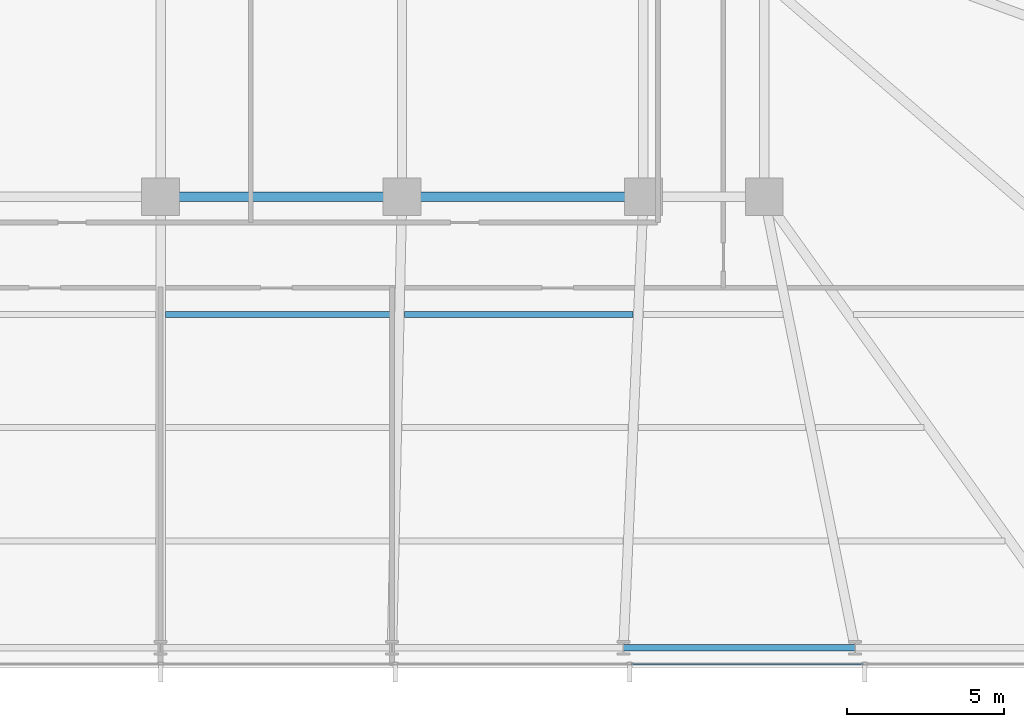
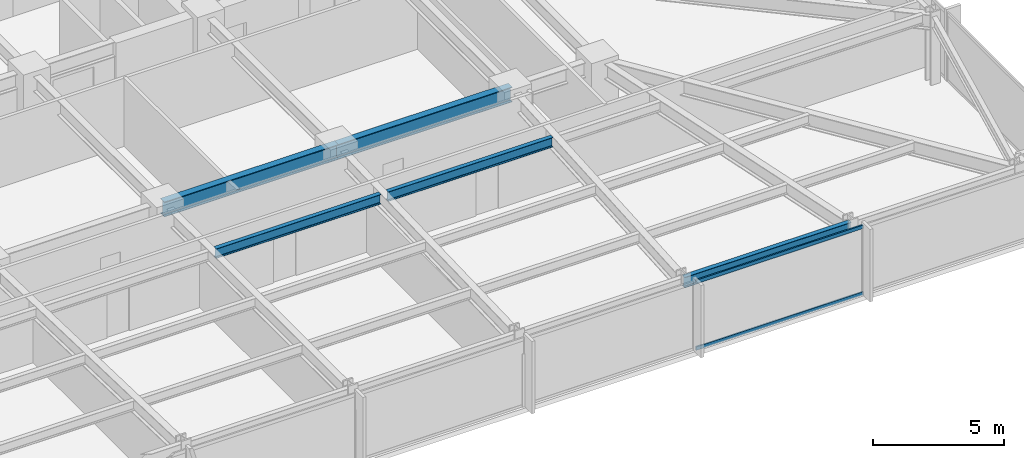
# One storey, part 13 of 33: 5 beams, 2 members, 1 element without a shape of its own.
"""IFC4 building model written with IfcOpenShell, lengths in metres."""

from ifc_helpers import new_model, si_unit, direction, frame, origin, origin_2d, place, context, subcontext, project, spatial, hollow_rectangle, i_section, extrude, material, material_profile, profile_set, type_object, element, aggregate, save


model = new_model("IFC4")

# Units and contexts
model_context = context("Model", 3, precision=1e-05, world=origin(), true_north=direction((0.0, 1.0)))
body_context = subcontext(model_context, "Body", "Model", "MODEL_VIEW")
ifc_project = project(units=[si_unit("LENGTHUNIT", "METRE"), si_unit("AREAUNIT", "SQUARE_METRE"), si_unit("VOLUMEUNIT", "CUBIC_METRE"), si_unit("PLANEANGLEUNIT", "RADIAN"), si_unit("MASSUNIT", "GRAM", prefix="KILO")], contexts=[model_context])

# Site, building, storey
site_placement = place(None, origin())
site = spatial("IfcSite", under=ifc_project, at=site_placement, CompositionType="ELEMENT")
building_placement = place(site_placement, origin())
building = spatial("IfcBuilding", under=site, at=building_placement, Name="Yelkora Congress Tower", CompositionType="ELEMENT")
storey_placement = place(building_placement, frame((0.0, 0.0, 47.39990234375)))
storey = spatial("IfcBuildingStorey", under=building, at=storey_placement, Name="L11", CompositionType="ELEMENT", Elevation=47.39990234375)

# Beams
ifc_material_1 = material(Name="Steel S355J2", Category="steel")
ifc_material_profile_1 = material_profile(ifc_material_1, i_section(OverallWidth=0.300048828125, OverallDepth=0.699951171875, WebThickness=0.01708984375, FlangeThickness=0.031982421875, FilletRadius=0.027099609375, at=origin_2d()), Name="HEB 700")
ifc_profile_set_1 = profile_set([ifc_material_profile_1], Name="Steel S355J2")
beam_type_1 = type_object("IfcBeamType", Name="BM-GIRD-HEB700", PredefinedType="BEAM", material=ifc_profile_set_1)
beam_1_placement = place(storey_placement, frame((38.39990234375, 25.199951171875, 2.830078125), z_axis=(1.0, 0.0, 0.0), x_axis=(0.0, 1.0, 0.0)))
element("IfcBeam", 1, at=beam_1_placement, inside=storey, type_object=beam_type_1, Name="L11 Spine Grid D Girder 4", PredefinedType="BEAM", context=body_context, shape_type="SweptSolid", body=[
    extrude(i_section(OverallWidth=0.300048828125, OverallDepth=0.699951171875, WebThickness=0.01708984375, FlangeThickness=0.031982421875, FilletRadius=0.027099609375, at=origin_2d()), origin(), (0.0, 0.0, 1.0), 7.68017578125),
])
beam_2_placement = place(storey_placement, frame((46.080078125, 25.199951171875, 2.830078125), z_axis=(1.0, 0.0, 0.0), x_axis=(0.0, 1.0, 0.0)))
element("IfcBeam", 2, at=beam_2_placement, inside=storey, type_object=beam_type_1, Name="L11 Spine Grid D Girder 5", PredefinedType="BEAM", context=body_context, shape_type="SweptSolid", body=[
    extrude(i_section(OverallWidth=0.300048828125, OverallDepth=0.699951171875, WebThickness=0.01708984375, FlangeThickness=0.031982421875, FilletRadius=0.027099609375, at=origin_2d()), origin(), (0.0, 0.0, 1.0), 7.679931640625),
])
ifc_material_profile_2 = material_profile(ifc_material_1, i_section(OverallWidth=0.18994140625, OverallDepth=0.449951171875, WebThickness=0.009521484375, FlangeThickness=0.0146484375, FilletRadius=0.02099609375, at=origin_2d()), Name="IPE 450")
ifc_profile_set_2 = profile_set([ifc_material_profile_2], Name="Steel S355J2")
beam_type_2 = type_object("IfcBeamType", Name="BM-JOIST-IPE450", PredefinedType="JOIST", material=ifc_profile_set_2)
beam_3_placement = place(storey_placement, frame((38.56005859375, 21.449951171875, 2.955078125), z_axis=(1.0, 0.0, 0.0), x_axis=(0.0, 1.0, 0.0)))
element("IfcBeam", 3, at=beam_3_placement, inside=storey, type_object=beam_type_2, Name="L11 Composite Floor Joist 20", PredefinedType="JOIST", context=body_context, shape_type="SweptSolid", body=[
    extrude(i_section(OverallWidth=0.18994140625, OverallDepth=0.449951171875, WebThickness=0.009521484375, FlangeThickness=0.0146484375, FilletRadius=0.02099609375, at=origin_2d()), origin(), (0.0, 0.0, 1.0), 7.27685546875),
])
beam_4_placement = place(storey_placement, frame((46.156982421875, 21.449951171875, 2.955078125), z_axis=(1.0, 0.0, 0.0), x_axis=(0.0, 1.0, 0.0)))
element("IfcBeam", 4, at=beam_4_placement, inside=storey, type_object=beam_type_2, Name="L11 Composite Floor Joist 21", PredefinedType="JOIST", context=body_context, shape_type="SweptSolid", body=[
    extrude(i_section(OverallWidth=0.18994140625, OverallDepth=0.449951171875, WebThickness=0.009521484375, FlangeThickness=0.0146484375, FilletRadius=0.02099609375, at=origin_2d()), origin(), (0.0, 0.0, 1.0), 7.277099609375),
])
ifc_material_profile_3 = material_profile(ifc_material_1, i_section(OverallWidth=0.199951171875, OverallDepth=0.5, WebThickness=0.01025390625, FlangeThickness=0.01611328125, FilletRadius=0.02099609375, at=origin_2d()), Name="IPE 500")
ifc_profile_set_3 = profile_set([ifc_material_profile_3], Name="Steel S355J2")
beam_type_3 = type_object("IfcBeamType", Name="BM-SPAN-IPE500", PredefinedType="SPANDREL", material=ifc_profile_set_3)
beam_5_placement = place(storey_placement, frame((53.125, 10.85009765625, 2.93017578125), z_axis=(1.0, 0.0, 0.0), x_axis=(0.0, 1.0, 0.0)))
element("IfcBeam", 5, at=beam_5_placement, inside=storey, type_object=beam_type_3, Name="L11 Perimeter Beam 8", PredefinedType="SPANDREL", context=body_context, shape_type="SweptSolid", body=[
    extrude(i_section(OverallWidth=0.199951171875, OverallDepth=0.5, WebThickness=0.01025390625, FlangeThickness=0.01611328125, FilletRadius=0.02099609375, at=origin_2d()), origin(), (0.0, 0.0, 1.0), 7.362548828125),
])

# Curtain wall, members
ifc_material_2 = material(Name="Anodised aluminium and insulated glass", Category="aluminium")
curtain_wall_type = type_object("IfcCurtainWallType", Name="CW-SYS-B1", PredefinedType="NOTDEFINED", material=ifc_material_2)
curtain_wall_placement = place(storey_placement, origin())
curtain_wall = element("IfcCurtainWall", 6, at=curtain_wall_placement, inside=storey, type_object=curtain_wall_type, Name="L11 Unitised Curtain Wall 20", PredefinedType="NOTDEFINED")
ifc_material_3 = material(Name="Anodised aluminium 6063-T6", Category="aluminium")
ifc_material_profile_4 = material_profile(ifc_material_3, hollow_rectangle(XDim=0.06494140625, YDim=0.159912109375, WallThickness=0.00390625, at=origin_2d()), Name="ALU 65x160x4")
ifc_profile_set_4 = profile_set([ifc_material_profile_4], Name="Anodised aluminium 6063-T6")
member_type = type_object("IfcMemberType", Name="MEM-TR-B1", PredefinedType="USERDEFINED", material=ifc_profile_set_4)
member_1_placement = place(storey_placement, frame((60.757568359375, 10.340087890625, 0.03271484375), z_axis=(-1.0, 0.0, 0.0), x_axis=(0.0, -1.0, 0.0)))
member_1 = element("IfcMember", 7, at=member_1_placement, type_object=member_type, Name="CW-B1 transom 2.1", ObjectType="TRANSOM", PredefinedType="USERDEFINED", context=body_context, shape_type="SweptSolid", body=[
    extrude(hollow_rectangle(XDim=0.06494140625, YDim=0.159912109375, WallThickness=0.00390625, at=origin_2d()), origin(), (0.0, 0.0, 1.0), 7.39013671875),
])
member_2_placement = place(storey_placement, frame((60.757568359375, 10.340087890625, 3.147705078125), z_axis=(-1.0, 0.0, 0.0), x_axis=(0.0, -1.0, 0.0)))
member_2 = element("IfcMember", 8, at=member_2_placement, type_object=member_type, Name="CW-B1 transom 2.2", ObjectType="TRANSOM", PredefinedType="USERDEFINED", context=body_context, shape_type="SweptSolid", body=[
    extrude(hollow_rectangle(XDim=0.06494140625, YDim=0.159912109375, WallThickness=0.00390625, at=origin_2d()), origin(), (0.0, 0.0, 1.0), 7.39013671875),
])
aggregate(curtain_wall, [member_1, member_2])

save(model, "model.ifc")
